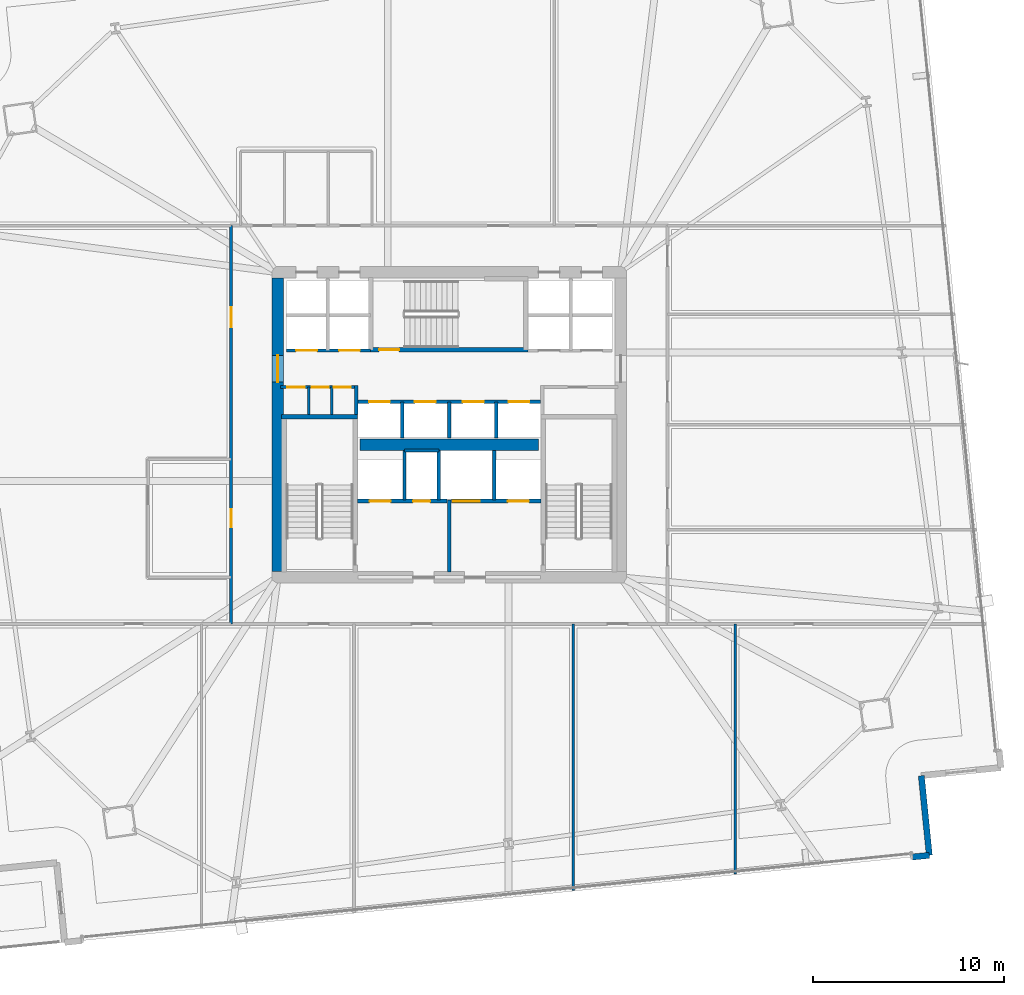
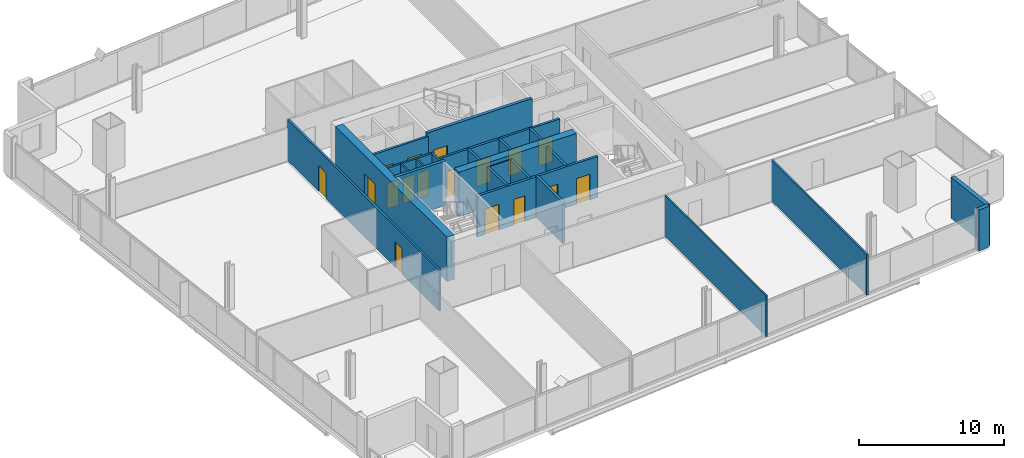
# One storey, part 26 of 33: 25 walls, 17 doors, 17 openings.
"""IFC4 building model written with IfcOpenShell, lengths in metres."""

from ifc_helpers import new_model, si_unit, direction, frame, frame_2d, origin, place, context, subcontext, project, spatial, rectangle, extrude, material, layer, layer_set, type_object, element, fill, save


model = new_model("IFC4")

# Units and contexts
model_context = context("Model", 3, precision=1e-05, world=origin(), true_north=direction((0.0, 1.0)))
body_context = subcontext(model_context, "Body", "Model", "MODEL_VIEW")
ifc_project = project(units=[si_unit("LENGTHUNIT", "METRE"), si_unit("AREAUNIT", "SQUARE_METRE"), si_unit("VOLUMEUNIT", "CUBIC_METRE"), si_unit("PLANEANGLEUNIT", "RADIAN"), si_unit("MASSUNIT", "GRAM", prefix="KILO")], contexts=[model_context])

# Site, building, storey
site_placement = place(None, origin())
site = spatial("IfcSite", under=ifc_project, at=site_placement, CompositionType="ELEMENT")
building_placement = place(site_placement, origin())
building = spatial("IfcBuilding", under=site, at=building_placement, Name="Haldenkirk Collegiate Tower", CompositionType="ELEMENT")
storey_placement = place(building_placement, frame((0.0, 0.0, 47.699951171875)))
storey = spatial("IfcBuildingStorey", under=building, at=storey_placement, Name="L10", CompositionType="ELEMENT", Elevation=47.699951171875)

# Wall, opening, door
ifc_material_1 = material(Name="Concrete f'c 70 MPa", Category="concrete")
ifc_layer_1 = layer(ifc_material_1, 0.60009765625)
ifc_layer_set_1 = layer_set([ifc_layer_1], Name="Concrete f'c 70 MPa")
wall_type_1 = type_object("IfcWallType", Name="WL-CORE-600", PredefinedType="SHEAR", material=ifc_layer_set_1)
wall_1_placement = place(storey_placement, frame((27.0, 18.300048828125, 0.0), z_axis=(0.0, 0.0, 1.0), x_axis=(0.0, 1.0, 0.0)))
wall_1 = element("IfcWall", 1, at=wall_1_placement, inside=storey, type_object=wall_type_1, Name="L10 central core shear wall W", PredefinedType="SHEAR", context=body_context, shape_type="SweptSolid", body=[
    extrude(rectangle(XDim=15.39990234375, YDim=0.60009765625, at=frame_2d((7.699951171875, 0.0))), origin(), (0.0, 0.0, 1.0), 3.75),
])
opening_1_placement = place(wall_1_placement, frame((9.93994140625, 0.0, 0.0)))
opening_1 = element("IfcOpeningElement", 2, at=opening_1_placement, cuts=wall_1, Name="Opening D-03", PredefinedType="OPENING", context=body_context, shape_type="SweptSolid", body=[
    extrude(rectangle(XDim=1.39990234375, YDim=2.199951171875, at=frame_2d((0.699951171875, 1.10009765625))), frame((0.0, 0.31005859375, 0.0), z_axis=(0.0, -1.0, 0.0), x_axis=(1.0, 0.0, 0.0)), (0.0, 0.0, 1.0), 0.6201171875),
])
ifc_material_2 = material(Name="Galvanized fire-rated hollow steel door", Category="steel")
ifc_layer_2 = layer(ifc_material_2, 0.06005859375)
ifc_layer_set_2 = layer_set([ifc_layer_2], Name="Galvanized fire-rated hollow steel door")
door_type_1 = type_object("IfcDoorType", Name="DR-LOBBY-FD90-1400", OperationType="NOTDEFINED", PredefinedType="DOOR", material=ifc_layer_set_2)
door_1_placement = place(opening_1_placement, origin())
door_1 = element("IfcDoor", 3, at=door_1_placement, inside=storey, type_object=door_type_1, Name="L10 west lift lobby portal", OperationType="DOUBLE_DOOR_SINGLE_SWING", OverallHeight=2.199951171875, OverallWidth=1.39990234375, PredefinedType="DOOR", context=body_context, shape_type="SweptSolid", body=[
    extrude(rectangle(XDim=1.39990234375, YDim=2.199951171875, at=frame_2d((0.699951171875, 1.10009765625))), frame((0.0, 0.02490234375, 0.0), z_axis=(0.0, -1.0, 0.0), x_axis=(1.0, 0.0, 0.0)), (0.0, 0.0, 1.0), 0.050048828125),
])
fill(opening_1, door_1)

# Walls
wall_2_placement = place(storey_placement, frame((31.31005859375, 24.949951171875, 0.0), z_axis=(0.0, 0.0, 1.0), x_axis=(1.0, 0.0, 0.0)))
element("IfcWall", 4, at=wall_2_placement, inside=storey, type_object=wall_type_1, Name="L10 central core spine shear wall", PredefinedType="SHEAR", context=body_context, shape_type="SweptSolid", body=[
    extrude(rectangle(XDim=9.3798828125, YDim=0.60009765625, at=frame_2d((4.68994140625, 0.0))), origin(), (0.0, 0.0, 1.0), 3.75),
])
ifc_material_3 = material(Name="Precast concrete f'c 40 MPa", Category="concrete")
ifc_layer_3 = layer(ifc_material_3, 0.320068359375)
ifc_layer_set_3 = layer_set([ifc_layer_3], Name="Precast concrete f'c 40 MPa")
wall_type_2 = type_object("IfcWallType", Name="WL-EXT-TWR-320", PredefinedType="STANDARD", material=ifc_layer_set_3)
wall_3_placement = place(storey_placement, frame((61.18994140625, 3.41015625, 0.0), z_axis=(0.0, 0.0, 1.0), x_axis=(-0.994950877973, -0.100363092925, 0.0)))
element("IfcWall", 5, at=wall_3_placement, inside=storey, type_object=wall_type_2, Name="L10 precast corner pier SL", PredefinedType="STANDARD", context=body_context, shape_type="SweptSolid", body=[
    extrude(rectangle(XDim=0.900146484375, YDim=0.320068359375, at=frame_2d((0.4501953125, 0.0))), origin(), (0.0, 0.0, 1.0), 3.43994140625),
])
wall_4_placement = place(storey_placement, frame((60.769287109375, 7.5888671875, 0.0), z_axis=(0.0, 0.0, 1.0), x_axis=(0.100159830235, -0.994971360596, 0.0)))
element("IfcWall", 6, at=wall_4_placement, inside=storey, type_object=wall_type_2, Name="L10 bronze precast notch wall 02", PredefinedType="STANDARD", context=body_context, shape_type="SweptSolid", body=[
    extrude(rectangle(XDim=4.199951171875, YDim=0.320068359375, at=frame_2d((2.10009765625, 0.0))), origin(), (0.0, 0.0, 1.0), 3.43994140625),
])

# Wall, openings, doors
ifc_material_4 = material(Name="Acoustic fire-rated gypsum partition", Category="concrete")
ifc_layer_4 = layer(ifc_material_4, 0.159912109375)
ifc_layer_set_4 = layer_set([ifc_layer_4], Name="Acoustic fire-rated gypsum partition")
wall_type_3 = type_object("IfcWallType", Name="WL-INT-CORR-160", PredefinedType="PARTITIONING", material=ifc_layer_set_4)
wall_5_placement = place(storey_placement, frame((27.14990234375, 27.97998046875, 0.0), z_axis=(0.0, 0.0, 1.0), x_axis=(1.0, 0.0, 0.0)))
wall_5 = element("IfcWall", 7, at=wall_5_placement, inside=storey, type_object=wall_type_3, Name="L10 interior partition IW-L10-VCSW-N", PredefinedType="PARTITIONING", context=body_context, shape_type="SweptSolid", body=[
    extrude(rectangle(XDim=4.050048828125, YDim=0.159912109375, at=frame_2d((2.02490234375, 0.0))), origin(), (0.0, 0.0, 1.0), 3.43994140625),
])
opening_2_placement = place(wall_5_placement, frame((0.360107421875, 0.0, 0.0)))
opening_2 = element("IfcOpeningElement", 8, at=opening_2_placement, cuts=wall_5, Name="Opening D-11", PredefinedType="OPENING", context=body_context, shape_type="SweptSolid", body=[
    extrude(rectangle(XDim=0.89990234375, YDim=2.14990234375, at=frame_2d((0.449951171875, 1.074951171875))), frame((0.0, 0.08984375, 0.0), z_axis=(0.0, -1.0, 0.0), x_axis=(1.0, 0.0, 0.0)), (0.0, 0.0, 1.0), 0.179931640625),
])
opening_3_placement = place(wall_5_placement, frame((1.6298828125, 0.0, 0.0)))
opening_3 = element("IfcOpeningElement", 9, at=opening_3_placement, cuts=wall_5, Name="Opening D-11", PredefinedType="OPENING", context=body_context, shape_type="SweptSolid", body=[
    extrude(rectangle(XDim=0.89990234375, YDim=2.14990234375, at=frame_2d((0.449951171875, 1.074951171875))), frame((0.0, 0.08984375, 0.0), z_axis=(0.0, -1.0, 0.0), x_axis=(1.0, 0.0, 0.0)), (0.0, 0.0, 1.0), 0.179931640625),
])
opening_4_placement = place(wall_5_placement, frame((2.78759765625, 0.0, 0.0)))
opening_4 = element("IfcOpeningElement", 10, at=opening_4_placement, cuts=wall_5, Name="Opening D-11", PredefinedType="OPENING", context=body_context, shape_type="SweptSolid", body=[
    extrude(rectangle(XDim=0.89990234375, YDim=2.14990234375, at=frame_2d((0.449951171875, 1.074951171875))), frame((0.0, 0.08984375, 0.0), z_axis=(0.0, -1.0, 0.0), x_axis=(1.0, 0.0, 0.0)), (0.0, 0.0, 1.0), 0.179931640625),
])
ifc_material_5 = material(Name="Solid-core architectural oak fire door", Category="wood")
ifc_layer_5 = layer(ifc_material_5, 0.06005859375)
ifc_layer_set_5 = layer_set([ifc_layer_5], Name="Solid-core architectural oak fire door")
door_type_2 = type_object("IfcDoorType", Name="DR-INT-FD60-900", OperationType="NOTDEFINED", PredefinedType="DOOR", material=ifc_layer_set_5)
door_2_placement = place(opening_2_placement, origin())
door_2 = element("IfcDoor", 11, at=door_2_placement, inside=storey, type_object=door_type_2, Name="L10 core study booth door", OperationType="SINGLE_SWING_LEFT", OverallHeight=2.14990234375, OverallWidth=0.89990234375, PredefinedType="DOOR", context=body_context, shape_type="SweptSolid", body=[
    extrude(rectangle(XDim=0.89990234375, YDim=2.14990234375, at=frame_2d((0.449951171875, 1.074951171875))), frame((0.0, 0.02490234375, 0.0), z_axis=(0.0, -1.0, 0.0), x_axis=(1.0, 0.0, 0.0)), (0.0, 0.0, 1.0), 0.050048828125),
])
fill(opening_2, door_2)
door_3_placement = place(opening_3_placement, origin())
door_3 = element("IfcDoor", 12, at=door_3_placement, inside=storey, type_object=door_type_2, Name="L10 core cleaners door", OperationType="SINGLE_SWING_RIGHT", OverallHeight=2.14990234375, OverallWidth=0.89990234375, PredefinedType="DOOR", context=body_context, shape_type="SweptSolid", body=[
    extrude(rectangle(XDim=0.89990234375, YDim=2.14990234375, at=frame_2d((0.449951171875, 1.074951171875))), frame((0.0, 0.02490234375, 0.0), z_axis=(0.0, -1.0, 0.0), x_axis=(1.0, 0.0, 0.0)), (0.0, 0.0, 1.0), 0.050048828125),
])
fill(opening_3, door_3)
door_4_placement = place(opening_4_placement, origin())
door_4 = element("IfcDoor", 13, at=door_4_placement, inside=storey, type_object=door_type_2, Name="L10 core stationery door", OperationType="SINGLE_SWING_LEFT", OverallHeight=2.14990234375, OverallWidth=0.89990234375, PredefinedType="DOOR", context=body_context, shape_type="SweptSolid", body=[
    extrude(rectangle(XDim=0.89990234375, YDim=2.14990234375, at=frame_2d((0.449951171875, 1.074951171875))), frame((0.0, 0.02490234375, 0.0), z_axis=(0.0, -1.0, 0.0), x_axis=(1.0, 0.0, 0.0)), (0.0, 0.0, 1.0), 0.050048828125),
])
fill(opening_4, door_4)

# Wall
wall_6_placement = place(storey_placement, frame((31.1201171875, 26.5400390625, 0.0), z_axis=(0.0, 0.0, 1.0), x_axis=(0.0, 1.0, 0.0)))
element("IfcWall", 14, at=wall_6_placement, inside=storey, type_object=wall_type_3, Name="L10 interior partition IW-L10-VCSW-E", PredefinedType="PARTITIONING", context=body_context, shape_type="SweptSolid", body=[
    extrude(rectangle(XDim=1.510009765625, YDim=0.159912109375, at=frame_2d((0.7548828125, 0.0))), origin(), (0.0, 0.0, 1.0), 3.43994140625),
])

# Wall, openings, doors
wall_7_placement = place(storey_placement, frame((24.550048828125, 15.550048828125, 0.0), z_axis=(0.0, 0.0, 1.0), x_axis=(0.0, 1.0, 0.0)))
wall_7 = element("IfcWall", 15, at=wall_7_placement, inside=storey, type_object=wall_type_3, Name="L10 interior partition IW-L10-CW", PredefinedType="PARTITIONING", context=body_context, shape_type="SweptSolid", body=[
    extrude(rectangle(XDim=20.89990234375, YDim=0.159912109375, at=frame_2d((10.449951171875, 0.0))), origin(), (0.0, 0.0, 1.0), 3.43994140625),
])
opening_5_placement = place(wall_7_placement, frame((5.074951171875, 0.0, 0.0)))
opening_5 = element("IfcOpeningElement", 16, at=opening_5_placement, cuts=wall_7, Name="Opening D-10", PredefinedType="OPENING", context=body_context, shape_type="SweptSolid", body=[
    extrude(rectangle(XDim=0.949951171875, YDim=2.14990234375, at=frame_2d((0.47509765625, 1.074951171875))), frame((0.0, 0.08984375, 0.0), z_axis=(0.0, -1.0, 0.0), x_axis=(1.0, 0.0, 0.0)), (0.0, 0.0, 1.0), 0.179931640625),
])
opening_6_placement = place(wall_7_placement, frame((15.56298828125, 0.0, 0.0)))
opening_6 = element("IfcOpeningElement", 17, at=opening_6_placement, cuts=wall_7, Name="Opening D-09", PredefinedType="OPENING", context=body_context, shape_type="SweptSolid", body=[
    extrude(rectangle(XDim=1.050048828125, YDim=2.14990234375, at=frame_2d((0.52490234375, 1.074951171875))), frame((0.0, 0.08984375, 0.0), z_axis=(0.0, -1.0, 0.0), x_axis=(1.0, 0.0, 0.0)), (0.0, 0.0, 1.0), 0.179931640625),
])
ifc_layer_6 = layer(ifc_material_5, 0.06005859375)
ifc_layer_set_6 = layer_set([ifc_layer_6], Name="Solid-core architectural oak fire door")
door_type_3 = type_object("IfcDoorType", Name="DR-INT-FD60-1050", OperationType="NOTDEFINED", PredefinedType="DOOR", material=ifc_layer_set_6)
door_5_placement = place(opening_6_placement, origin())
door_5 = element("IfcDoor", 18, at=door_5_placement, inside=storey, type_object=door_type_3, Name="L10 Computational Design Studio 8 door", OperationType="SINGLE_SWING_LEFT", OverallHeight=2.14990234375, OverallWidth=1.050048828125, PredefinedType="DOOR", context=body_context, shape_type="SweptSolid", body=[
    extrude(rectangle(XDim=1.050048828125, YDim=2.14990234375, at=frame_2d((0.52490234375, 1.074951171875))), frame((0.0, 0.02490234375, 0.0), z_axis=(0.0, -1.0, 0.0), x_axis=(1.0, 0.0, 0.0)), (0.0, 0.0, 1.0), 0.050048828125),
])
fill(opening_6, door_5)
ifc_layer_7 = layer(ifc_material_5, 0.06005859375)
ifc_layer_set_7 = layer_set([ifc_layer_7], Name="Solid-core architectural oak fire door")
door_type_4 = type_object("IfcDoorType", Name="DR-INT-FD60-950", OperationType="NOTDEFINED", PredefinedType="DOOR", material=ifc_layer_set_7)
door_6_placement = place(opening_5_placement, origin())
door_6 = element("IfcDoor", 19, at=door_6_placement, inside=storey, type_object=door_type_4, Name="L10 West Faculty Tutorial Pod corridor door", OperationType="SINGLE_SWING_RIGHT", OverallHeight=2.14990234375, OverallWidth=0.949951171875, PredefinedType="DOOR", context=body_context, shape_type="SweptSolid", body=[
    extrude(rectangle(XDim=0.949951171875, YDim=2.14990234375, at=frame_2d((0.47509765625, 1.074951171875))), frame((0.0, 0.02490234375, 0.0), z_axis=(0.0, -1.0, 0.0), x_axis=(1.0, 0.0, 0.0)), (0.0, 0.0, 1.0), 0.050048828125),
])
fill(opening_5, door_6)

# Walls
ifc_layer_8 = layer(ifc_material_4, 0.139892578125)
ifc_layer_set_8 = layer_set([ifc_layer_8], Name="Acoustic fire-rated gypsum partition")
wall_type_4 = type_object("IfcWallType", Name="WL-INT-DIV-140", PredefinedType="PARTITIONING", material=ifc_layer_set_8)
wall_8_placement = place(storey_placement, frame((51.0, 2.42431640625, 0.0), z_axis=(0.0, 0.0, 1.0), x_axis=(0.0, 1.0, 0.0)))
element("IfcWall", 20, at=wall_8_placement, inside=storey, type_object=wall_type_4, Name="L10 interior partition IW-L10-RS4", PredefinedType="PARTITIONING", context=body_context, shape_type="SweptSolid", body=[
    extrude(rectangle(XDim=13.125732421875, YDim=0.139892578125, at=frame_2d((6.56298828125, 0.0))), origin(), (0.0, 0.0, 1.0), 3.43994140625),
])
ifc_material_6 = material(Name="Fire-rated gypsum shaftboard assembly", Category="concrete")
ifc_layer_9 = layer(ifc_material_6, 0.179931640625)
ifc_layer_set_9 = layer_set([ifc_layer_9], Name="Fire-rated gypsum shaftboard assembly")
wall_type_5 = type_object("IfcWallType", Name="WL-INT-SHAFT-180", PredefinedType="PARTITIONING", material=ifc_layer_set_9)
for number, where, z_axis, x_axis, name in (
    (21, (33.64990234375, 22.050048828125, 0.0), (0.0, 0.0, 1.0), (0.0, 1.0, 0.0), "L10 interior partition IW-L10-FL1E"),
    (22, (35.449951171875, 22.050048828125, 0.0), (0.0, 0.0, 1.0), (0.0, 1.0, 0.0), "L10 interior partition IW-L10-GL1W"),
):
    element("IfcWall", number, at=place(storey_placement, frame(where, z_axis=z_axis, x_axis=x_axis)), inside=storey, type_object=wall_type_5, Name=name, PredefinedType="PARTITIONING", context=body_context, shape_type="SweptSolid", body=[
        extrude(rectangle(XDim=2.599853515625, YDim=0.179931640625, at=frame_2d((1.2998046875, 0.0))), origin(), (0.0, 0.0, 1.0), 3.43994140625),
    ])
wall_9_placement = place(storey_placement, frame((33.64990234375, 24.64990234375, 0.0), z_axis=(0.0, 0.0, 1.0), x_axis=(1.0, 0.0, 0.0)))
element("IfcWall", 23, at=wall_9_placement, inside=storey, type_object=wall_type_5, Name="L10 interior partition IW-L10-RSRN", PredefinedType="PARTITIONING", context=body_context, shape_type="SweptSolid", body=[
    extrude(rectangle(XDim=1.800048828125, YDim=0.179931640625, at=frame_2d((0.89990234375, 0.0))), origin(), (0.0, 0.0, 1.0), 3.43994140625),
])
wall_10_placement = place(storey_placement, frame((38.35009765625, 22.050048828125, 0.0), z_axis=(0.0, 0.0, 1.0), x_axis=(0.0, 1.0, 0.0)))
element("IfcWall", 24, at=wall_10_placement, inside=storey, type_object=wall_type_5, Name="L10 interior partition IW-L10-GL1E", PredefinedType="PARTITIONING", context=body_context, shape_type="SweptSolid", body=[
    extrude(rectangle(XDim=2.599853515625, YDim=0.179931640625, at=frame_2d((1.2998046875, 0.0))), origin(), (0.0, 0.0, 1.0), 3.43994140625),
])

# Wall, openings, doors
wall_11_placement = place(storey_placement, frame((27.449951171875, 29.89990234375, 0.0), z_axis=(0.0, 0.0, 1.0), x_axis=(1.0, 0.0, 0.0)))
wall_11 = element("IfcWall", 25, at=wall_11_placement, inside=storey, type_object=wall_type_5, Name="L10 interior partition IW-L10-PLS", PredefinedType="PARTITIONING", context=body_context, shape_type="SweptSolid", body=[
    extrude(rectangle(XDim=4.429931640625, YDim=0.179931640625, at=frame_2d((2.21484375, 0.0))), origin(), (0.0, 0.0, 1.0), 3.43994140625),
])
opening_7_placement = place(wall_11_placement, frame((0.514892578125, 0.0, 0.0)))
opening_7 = element("IfcOpeningElement", 26, at=opening_7_placement, cuts=wall_11, Name="Opening LD-11", PredefinedType="OPENING", context=body_context, shape_type="SweptSolid", body=[
    extrude(rectangle(XDim=1.10009765625, YDim=2.14990234375, at=frame_2d((0.550048828125, 1.074951171875))), frame((0.0, 0.099853515625, 0.0), z_axis=(0.0, -1.0, 0.0), x_axis=(1.0, 0.0, 0.0)), (0.0, 0.0, 1.0), 0.199951171875),
])
opening_8_placement = place(wall_11_placement, frame((2.764892578125, 0.0, 0.0)))
opening_8 = element("IfcOpeningElement", 27, at=opening_8_placement, cuts=wall_11, Name="Opening LD-11", PredefinedType="OPENING", context=body_context, shape_type="SweptSolid", body=[
    extrude(rectangle(XDim=1.10009765625, YDim=2.14990234375, at=frame_2d((0.550048828125, 1.074951171875))), frame((0.0, 0.099853515625, 0.0), z_axis=(0.0, -1.0, 0.0), x_axis=(1.0, 0.0, 0.0)), (0.0, 0.0, 1.0), 0.199951171875),
])
ifc_material_7 = material(Name="Brushed architectural stainless steel", Category="steel")
ifc_layer_10 = layer(ifc_material_7, 0.06005859375)
ifc_layer_set_10 = layer_set([ifc_layer_10], Name="Brushed architectural stainless steel")
door_type_5 = type_object("IfcDoorType", Name="LD-PASS-1100", OperationType="NOTDEFINED", PredefinedType="DOOR", material=ifc_layer_set_10)
door_7_placement = place(opening_7_placement, origin())
door_7 = element("IfcDoor", 28, at=door_7_placement, inside=storey, type_object=door_type_5, Name="L10 Elevator PL1 sliding landing door", OperationType="SLIDING_TO_LEFT", OverallHeight=2.14990234375, OverallWidth=1.10009765625, PredefinedType="DOOR", context=body_context, shape_type="SweptSolid", body=[
    extrude(rectangle(XDim=1.10009765625, YDim=2.14990234375, at=frame_2d((0.550048828125, 1.074951171875))), frame((0.0, 0.02490234375, 0.0), z_axis=(0.0, -1.0, 0.0), x_axis=(1.0, 0.0, 0.0)), (0.0, 0.0, 1.0), 0.050048828125),
])
fill(opening_7, door_7)
door_8_placement = place(opening_8_placement, origin())
door_8 = element("IfcDoor", 29, at=door_8_placement, inside=storey, type_object=door_type_5, Name="L10 Elevator PL2 sliding landing door", OperationType="SLIDING_TO_LEFT", OverallHeight=2.14990234375, OverallWidth=1.10009765625, PredefinedType="DOOR", context=body_context, shape_type="SweptSolid", body=[
    extrude(rectangle(XDim=1.10009765625, YDim=2.14990234375, at=frame_2d((0.550048828125, 1.074951171875))), frame((0.0, 0.02490234375, 0.0), z_axis=(0.0, -1.0, 0.0), x_axis=(1.0, 0.0, 0.0)), (0.0, 0.0, 1.0), 0.050048828125),
])
fill(opening_8, door_8)

wall_12_placement = place(storey_placement, frame((31.199951171875, 27.199951171875, 0.0), z_axis=(0.0, 0.0, 1.0), x_axis=(1.0, 0.0, 0.0)))
wall_12 = element("IfcWall", 30, at=wall_12_placement, inside=storey, type_object=wall_type_5, Name="L10 interior partition IW-L10-PHN", PredefinedType="PARTITIONING", context=body_context, shape_type="SweptSolid", body=[
    extrude(rectangle(XDim=9.60009765625, YDim=0.179931640625, at=frame_2d((4.800048828125, 0.0))), origin(), (0.0, 0.0, 1.0), 3.43994140625),
])
opening_9_placement = place(wall_12_placement, frame((0.590087890625, 0.0, 0.0)))
opening_9 = element("IfcOpeningElement", 31, at=opening_9_placement, cuts=wall_12, Name="Opening LD-11", PredefinedType="OPENING", context=body_context, shape_type="SweptSolid", body=[
    extrude(rectangle(XDim=1.10009765625, YDim=2.14990234375, at=frame_2d((0.550048828125, 1.074951171875))), frame((0.0, 0.099853515625, 0.0), z_axis=(0.0, -1.0, 0.0), x_axis=(1.0, 0.0, 0.0)), (0.0, 0.0, 1.0), 0.199951171875),
])
opening_10_placement = place(wall_12_placement, frame((2.989990234375, 0.0, 0.0)))
opening_10 = element("IfcOpeningElement", 32, at=opening_10_placement, cuts=wall_12, Name="Opening LD-11", PredefinedType="OPENING", context=body_context, shape_type="SweptSolid", body=[
    extrude(rectangle(XDim=1.10009765625, YDim=2.14990234375, at=frame_2d((0.550048828125, 1.074951171875))), frame((0.0, 0.099853515625, 0.0), z_axis=(0.0, -1.0, 0.0), x_axis=(1.0, 0.0, 0.0)), (0.0, 0.0, 1.0), 0.199951171875),
])
opening_11_placement = place(wall_12_placement, frame((5.510009765625, 0.0, 0.0)))
opening_11 = element("IfcOpeningElement", 33, at=opening_11_placement, cuts=wall_12, Name="Opening LD-11", PredefinedType="OPENING", context=body_context, shape_type="SweptSolid", body=[
    extrude(rectangle(XDim=1.10009765625, YDim=2.14990234375, at=frame_2d((0.550048828125, 1.074951171875))), frame((0.0, 0.099853515625, 0.0), z_axis=(0.0, -1.0, 0.0), x_axis=(1.0, 0.0, 0.0)), (0.0, 0.0, 1.0), 0.199951171875),
])
opening_12_placement = place(wall_12_placement, frame((7.909912109375, 0.0, 0.0)))
opening_12 = element("IfcOpeningElement", 34, at=opening_12_placement, cuts=wall_12, Name="Opening LD-11", PredefinedType="OPENING", context=body_context, shape_type="SweptSolid", body=[
    extrude(rectangle(XDim=1.10009765625, YDim=2.14990234375, at=frame_2d((0.550048828125, 1.074951171875))), frame((0.0, 0.099853515625, 0.0), z_axis=(0.0, -1.0, 0.0), x_axis=(1.0, 0.0, 0.0)), (0.0, 0.0, 1.0), 0.199951171875),
])
door_9_placement = place(opening_9_placement, origin())
door_9 = element("IfcDoor", 35, at=door_9_placement, inside=storey, type_object=door_type_5, Name="L10 Elevator PH1 sliding landing door", OperationType="SLIDING_TO_LEFT", OverallHeight=2.14990234375, OverallWidth=1.10009765625, PredefinedType="DOOR", context=body_context, shape_type="SweptSolid", body=[
    extrude(rectangle(XDim=1.10009765625, YDim=2.14990234375, at=frame_2d((0.550048828125, 1.074951171875))), frame((0.0, 0.02490234375, 0.0), z_axis=(0.0, -1.0, 0.0), x_axis=(1.0, 0.0, 0.0)), (0.0, 0.0, 1.0), 0.050048828125),
])
fill(opening_9, door_9)
door_10_placement = place(opening_10_placement, origin())
door_10 = element("IfcDoor", 36, at=door_10_placement, inside=storey, type_object=door_type_5, Name="L10 Elevator PH2 sliding landing door", OperationType="SLIDING_TO_LEFT", OverallHeight=2.14990234375, OverallWidth=1.10009765625, PredefinedType="DOOR", context=body_context, shape_type="SweptSolid", body=[
    extrude(rectangle(XDim=1.10009765625, YDim=2.14990234375, at=frame_2d((0.550048828125, 1.074951171875))), frame((0.0, 0.02490234375, 0.0), z_axis=(0.0, -1.0, 0.0), x_axis=(1.0, 0.0, 0.0)), (0.0, 0.0, 1.0), 0.050048828125),
])
fill(opening_10, door_10)
door_11_placement = place(opening_11_placement, origin())
door_11 = element("IfcDoor", 37, at=door_11_placement, inside=storey, type_object=door_type_5, Name="L10 Elevator PH3 sliding landing door", OperationType="SLIDING_TO_LEFT", OverallHeight=2.14990234375, OverallWidth=1.10009765625, PredefinedType="DOOR", context=body_context, shape_type="SweptSolid", body=[
    extrude(rectangle(XDim=1.10009765625, YDim=2.14990234375, at=frame_2d((0.550048828125, 1.074951171875))), frame((0.0, 0.02490234375, 0.0), z_axis=(0.0, -1.0, 0.0), x_axis=(1.0, 0.0, 0.0)), (0.0, 0.0, 1.0), 0.050048828125),
])
fill(opening_11, door_11)
door_12_placement = place(opening_12_placement, origin())
door_12 = element("IfcDoor", 38, at=door_12_placement, inside=storey, type_object=door_type_5, Name="L10 Elevator PH4 sliding landing door", OperationType="SLIDING_TO_LEFT", OverallHeight=2.14990234375, OverallWidth=1.10009765625, PredefinedType="DOOR", context=body_context, shape_type="SweptSolid", body=[
    extrude(rectangle(XDim=1.10009765625, YDim=2.14990234375, at=frame_2d((0.550048828125, 1.074951171875))), frame((0.0, 0.02490234375, 0.0), z_axis=(0.0, -1.0, 0.0), x_axis=(1.0, 0.0, 0.0)), (0.0, 0.0, 1.0), 0.050048828125),
])
fill(opening_12, door_12)

# Walls
for number, where, z_axis, x_axis, name in (
    (39, (33.5400390625, 25.300048828125, 0.0), (0.0, 0.0, 1.0), (0.0, 1.0, 0.0), "L10 interior partition IW-L10-PHV1"),
    (40, (36.0, 25.300048828125, 0.0), (0.0, 0.0, 1.0), (0.0, 1.0, 0.0), "L10 interior partition IW-L10-PHV2"),
    (41, (38.4599609375, 25.300048828125, 0.0), (0.0, 0.0, 1.0), (0.0, 1.0, 0.0), "L10 interior partition IW-L10-PHV3"),
):
    element("IfcWall", number, at=place(storey_placement, frame(where, z_axis=z_axis, x_axis=x_axis)), inside=storey, type_object=wall_type_5, Name=name, PredefinedType="PARTITIONING", context=body_context, shape_type="SweptSolid", body=[
        extrude(rectangle(XDim=1.89990234375, YDim=0.179931640625, at=frame_2d((0.949951171875, 0.0))), origin(), (0.0, 0.0, 1.0), 3.43994140625),
    ])
ifc_layer_11 = layer(ifc_material_6, 0.199951171875)
ifc_layer_set_11 = layer_set([ifc_layer_11], Name="Fire-rated gypsum shaftboard assembly")
wall_type_6 = type_object("IfcWallType", Name="WL-INT-SHAFT-200", PredefinedType="PARTITIONING", material=ifc_layer_set_11)
wall_13_placement = place(storey_placement, frame((36.0, 18.280029296875, 0.0), z_axis=(0.0, 0.0, 1.0), x_axis=(0.0, 1.0, 0.0)))
element("IfcWall", 42, at=wall_13_placement, inside=storey, type_object=wall_type_6, Name="L10 interior partition IW-L10-FFLM", PredefinedType="PARTITIONING", context=body_context, shape_type="SweptSolid", body=[
    extrude(rectangle(XDim=3.77001953125, YDim=0.199951171875, at=frame_2d((1.885009765625, 0.0))), origin(), (0.0, 0.0, 1.0), 3.43994140625),
])

# Wall, openings, doors
wall_14_placement = place(storey_placement, frame((31.18994140625, 22.0, 0.0), z_axis=(0.0, 0.0, 1.0), x_axis=(1.0, 0.0, 0.0)))
wall_14 = element("IfcWall", 43, at=wall_14_placement, inside=storey, type_object=wall_type_6, Name="L10 interior partition IW-L10-FFL1N", PredefinedType="PARTITIONING", context=body_context, shape_type="SweptSolid", body=[
    extrude(rectangle(XDim=4.68994140625, YDim=0.199951171875, at=frame_2d((2.344970703125, 0.0))), origin(), (0.0, 0.0, 1.0), 3.43994140625),
])
opening_13_placement = place(wall_14_placement, frame((2.909912109375, 0.0, 0.0)))
opening_13 = element("IfcOpeningElement", 44, at=opening_13_placement, cuts=wall_14, Name="Opening D-06", PredefinedType="OPENING", context=body_context, shape_type="SweptSolid", body=[
    extrude(rectangle(XDim=0.89990234375, YDim=2.14990234375, at=frame_2d((0.449951171875, 1.074951171875))), frame((0.0, 0.10986328125, 0.0), z_axis=(0.0, -1.0, 0.0), x_axis=(1.0, 0.0, 0.0)), (0.0, 0.0, 1.0), 0.219970703125),
])
opening_14_placement = place(wall_14_placement, frame((0.635009765625, 0.0, 0.0)))
opening_14 = element("IfcOpeningElement", 45, at=opening_14_placement, cuts=wall_14, Name="Opening LD-12", PredefinedType="OPENING", context=body_context, shape_type="SweptSolid", body=[
    extrude(rectangle(XDim=1.10009765625, YDim=2.14990234375, at=frame_2d((0.550048828125, 1.074951171875))), frame((0.0, 0.10986328125, 0.0), z_axis=(0.0, -1.0, 0.0), x_axis=(1.0, 0.0, 0.0)), (0.0, 0.0, 1.0), 0.219970703125),
])
ifc_layer_12 = layer(ifc_material_2, 0.06005859375)
ifc_layer_set_12 = layer_set([ifc_layer_12], Name="Galvanized fire-rated hollow steel door")
door_type_6 = type_object("IfcDoorType", Name="DR-INT-FD90-900", OperationType="NOTDEFINED", PredefinedType="DOOR", material=ifc_layer_set_12)
door_13_placement = place(opening_13_placement, origin())
door_13 = element("IfcDoor", 46, at=door_13_placement, inside=storey, type_object=door_type_6, Name="L10 electrical riser door", OperationType="SINGLE_SWING_RIGHT", OverallHeight=2.14990234375, OverallWidth=0.89990234375, PredefinedType="DOOR", context=body_context, shape_type="SweptSolid", body=[
    extrude(rectangle(XDim=0.89990234375, YDim=2.14990234375, at=frame_2d((0.449951171875, 1.074951171875))), frame((0.0, 0.02490234375, 0.0), z_axis=(0.0, -1.0, 0.0), x_axis=(1.0, 0.0, 0.0)), (0.0, 0.0, 1.0), 0.050048828125),
])
fill(opening_13, door_13)
ifc_layer_13 = layer(ifc_material_7, 0.06005859375)
ifc_layer_set_13 = layer_set([ifc_layer_13], Name="Brushed architectural stainless steel")
door_type_7 = type_object("IfcDoorType", Name="LD-FIRE-1100", OperationType="NOTDEFINED", PredefinedType="DOOR", material=ifc_layer_set_13)
door_14_placement = place(opening_14_placement, origin())
door_14 = element("IfcDoor", 47, at=door_14_placement, inside=storey, type_object=door_type_7, Name="L10 Elevator FL1 sliding landing door", OperationType="SLIDING_TO_LEFT", OverallHeight=2.14990234375, OverallWidth=1.10009765625, PredefinedType="DOOR", context=body_context, shape_type="SweptSolid", body=[
    extrude(rectangle(XDim=1.10009765625, YDim=2.14990234375, at=frame_2d((0.550048828125, 1.074951171875))), frame((0.0, 0.02490234375, 0.0), z_axis=(0.0, -1.0, 0.0), x_axis=(1.0, 0.0, 0.0)), (0.0, 0.0, 1.0), 0.050048828125),
])
fill(opening_14, door_14)

wall_15_placement = place(storey_placement, frame((36.1201171875, 22.0, 0.0), z_axis=(0.0, 0.0, 1.0), x_axis=(1.0, 0.0, 0.0)))
wall_15 = element("IfcWall", 48, at=wall_15_placement, inside=storey, type_object=wall_type_6, Name="L10 interior partition IW-L10-FFL2N", PredefinedType="PARTITIONING", context=body_context, shape_type="SweptSolid", body=[
    extrude(rectangle(XDim=4.68994140625, YDim=0.199951171875, at=frame_2d((2.344970703125, 0.0))), origin(), (0.0, 0.0, 1.0), 3.43994140625),
])
opening_15_placement = place(wall_15_placement, frame((2.955078125, 0.0, 0.0)))
opening_15 = element("IfcOpeningElement", 49, at=opening_15_placement, cuts=wall_15, Name="Opening LD-12", PredefinedType="OPENING", context=body_context, shape_type="SweptSolid", body=[
    extrude(rectangle(XDim=1.10009765625, YDim=2.14990234375, at=frame_2d((0.550048828125, 1.074951171875))), frame((0.0, 0.10986328125, 0.0), z_axis=(0.0, -1.0, 0.0), x_axis=(1.0, 0.0, 0.0)), (0.0, 0.0, 1.0), 0.219970703125),
])
opening_16_placement = place(wall_15_placement, frame((0.080078125, 0.0, 0.0)))
opening_16 = element("IfcOpeningElement", 50, at=opening_16_placement, cuts=wall_15, Name="Opening LD-13", PredefinedType="OPENING", context=body_context, shape_type="SweptSolid", body=[
    extrude(rectangle(XDim=1.39990234375, YDim=2.199951171875, at=frame_2d((0.699951171875, 1.10009765625))), frame((0.0, 0.10986328125, 0.0), z_axis=(0.0, -1.0, 0.0), x_axis=(1.0, 0.0, 0.0)), (0.0, 0.0, 1.0), 0.219970703125),
])
door_15_placement = place(opening_15_placement, origin())
door_15 = element("IfcDoor", 51, at=door_15_placement, inside=storey, type_object=door_type_7, Name="L10 Elevator FL2 sliding landing door", OperationType="SLIDING_TO_LEFT", OverallHeight=2.14990234375, OverallWidth=1.10009765625, PredefinedType="DOOR", context=body_context, shape_type="SweptSolid", body=[
    extrude(rectangle(XDim=1.10009765625, YDim=2.14990234375, at=frame_2d((0.550048828125, 1.074951171875))), frame((0.0, 0.02490234375, 0.0), z_axis=(0.0, -1.0, 0.0), x_axis=(1.0, 0.0, 0.0)), (0.0, 0.0, 1.0), 0.050048828125),
])
fill(opening_15, door_15)
ifc_layer_14 = layer(ifc_material_7, 0.06005859375)
ifc_layer_set_14 = layer_set([ifc_layer_14], Name="Brushed architectural stainless steel")
door_type_8 = type_object("IfcDoorType", Name="LD-GOODS-1400", OperationType="NOTDEFINED", PredefinedType="DOOR", material=ifc_layer_set_14)
door_16_placement = place(opening_16_placement, origin())
door_16 = element("IfcDoor", 52, at=door_16_placement, inside=storey, type_object=door_type_8, Name="L10 Elevator GL1 sliding landing door", OperationType="SLIDING_TO_LEFT", OverallHeight=2.199951171875, OverallWidth=1.39990234375, PredefinedType="DOOR", context=body_context, shape_type="SweptSolid", body=[
    extrude(rectangle(XDim=1.39990234375, YDim=2.199951171875, at=frame_2d((0.699951171875, 1.10009765625))), frame((0.0, 0.02490234375, 0.0), z_axis=(0.0, -1.0, 0.0), x_axis=(1.0, 0.0, 0.0)), (0.0, 0.0, 1.0), 0.050048828125),
])
fill(opening_16, door_16)

# Walls
ifc_layer_15 = layer(ifc_material_4, 0.1201171875)
ifc_layer_set_15 = layer_set([ifc_layer_15], Name="Acoustic fire-rated gypsum partition")
wall_type_7 = type_object("IfcWallType", Name="WL-INT-WET-120", PredefinedType="PARTITIONING", material=ifc_layer_set_15)
for number, where, z_axis, x_axis, name in (
    (53, (28.6201171875, 26.5400390625, 0.0), (0.0, 0.0, 1.0), (0.0, 1.0, 0.0), "L10 interior partition IW-L10-VCSW-M1"),
    (54, (29.840087890625, 26.5400390625, 0.0), (0.0, 0.0, 1.0), (0.0, 1.0, 0.0), "L10 interior partition IW-L10-VCSW-M2"),
):
    element("IfcWall", number, at=place(storey_placement, frame(where, z_axis=z_axis, x_axis=x_axis)), inside=storey, type_object=wall_type_7, Name=name, PredefinedType="PARTITIONING", context=body_context, shape_type="SweptSolid", body=[
        extrude(rectangle(XDim=1.43994140625, YDim=0.1201171875, at=frame_2d((0.719970703125, 0.0))), origin(), (0.0, 0.0, 1.0), 3.43994140625),
    ])
wall_16_placement = place(storey_placement, frame((42.5, 1.568359375, 0.0), z_axis=(0.0, 0.0, 1.0), x_axis=(0.0, 1.0, 0.0)))
element("IfcWall", 55, at=wall_16_placement, inside=storey, type_object=wall_type_7, Name="L10 interior partition IW-L10-RS3", PredefinedType="PARTITIONING", context=body_context, shape_type="SweptSolid", body=[
    extrude(rectangle(XDim=13.981689453125, YDim=0.1201171875, at=frame_2d((6.99072265625, 0.0))), origin(), (0.0, 0.0, 1.0), 3.43994140625),
])
ifc_material_8 = material(Name="Concrete f'c 55 MPa", Category="concrete")
ifc_layer_16 = layer(ifc_material_8, 0.239990234375)
ifc_layer_set_16 = layer_set([ifc_layer_16], Name="Concrete f'c 55 MPa")
wall_type_8 = type_object("IfcWallType", Name="WL-SHAFT-240", PredefinedType="SHEAR", material=ifc_layer_set_16)
wall_17_placement = place(storey_placement, frame((27.2099609375, 26.419921875, 0.0), z_axis=(0.0, 0.0, 1.0), x_axis=(1.0, 0.0, 0.0)))
element("IfcWall", 56, at=wall_17_placement, inside=storey, type_object=wall_type_8, Name="L10 stair shaft shear wall SW-L10-ST1N", PredefinedType="SHEAR", context=body_context, shape_type="SweptSolid", body=[
    extrude(rectangle(XDim=3.97998046875, YDim=0.239990234375, at=frame_2d((1.989990234375, 0.0))), origin(), (0.0, 0.0, 1.0), 3.75),
])

# Wall, opening, door
wall_18_placement = place(storey_placement, frame((31.760009765625, 29.929931640625, 0.0), z_axis=(0.0, 0.0, 1.0), x_axis=(1.0, 0.0, 0.0)))
wall_18 = element("IfcWall", 57, at=wall_18_placement, inside=storey, type_object=wall_type_8, Name="L10 stair shaft shear wall SW-L10-ST3S", PredefinedType="SHEAR", context=body_context, shape_type="SweptSolid", body=[
    extrude(rectangle(XDim=8.3798828125, YDim=0.239990234375, at=frame_2d((4.18994140625, 0.0))), origin(), (0.0, 0.0, 1.0), 3.75),
])
opening_17_placement = place(wall_18_placement, frame((0.56494140625, 0.0, 0.0)))
opening_17 = element("IfcOpeningElement", 58, at=opening_17_placement, cuts=wall_18, Name="Opening D-01", PredefinedType="OPENING", context=body_context, shape_type="SweptSolid", body=[
    extrude(rectangle(XDim=1.050048828125, YDim=2.14990234375, at=frame_2d((0.52490234375, 1.074951171875))), frame((0.0, 0.1298828125, 0.0), z_axis=(0.0, -1.0, 0.0), x_axis=(1.0, 0.0, 0.0)), (0.0, 0.0, 1.0), 0.260009765625),
])
ifc_layer_17 = layer(ifc_material_2, 0.06005859375)
ifc_layer_set_17 = layer_set([ifc_layer_17], Name="Galvanized fire-rated hollow steel door")
door_type_9 = type_object("IfcDoorType", Name="DR-STAIR-FD90-1050", OperationType="NOTDEFINED", PredefinedType="DOOR", material=ifc_layer_set_17)
door_17_placement = place(opening_17_placement, origin())
door_17 = element("IfcDoor", 59, at=door_17_placement, inside=storey, type_object=door_type_9, Name="L10 lift lobby Stair 3 door", OperationType="SINGLE_SWING_LEFT", OverallHeight=2.14990234375, OverallWidth=1.050048828125, PredefinedType="DOOR", context=body_context, shape_type="SweptSolid", body=[
    extrude(rectangle(XDim=1.050048828125, YDim=2.14990234375, at=frame_2d((0.52490234375, 1.074951171875))), frame((0.0, 0.02490234375, 0.0), z_axis=(0.0, -1.0, 0.0), x_axis=(1.0, 0.0, 0.0)), (0.0, 0.0, 1.0), 0.050048828125),
])
fill(opening_17, door_17)

save(model, "model.ifc")
